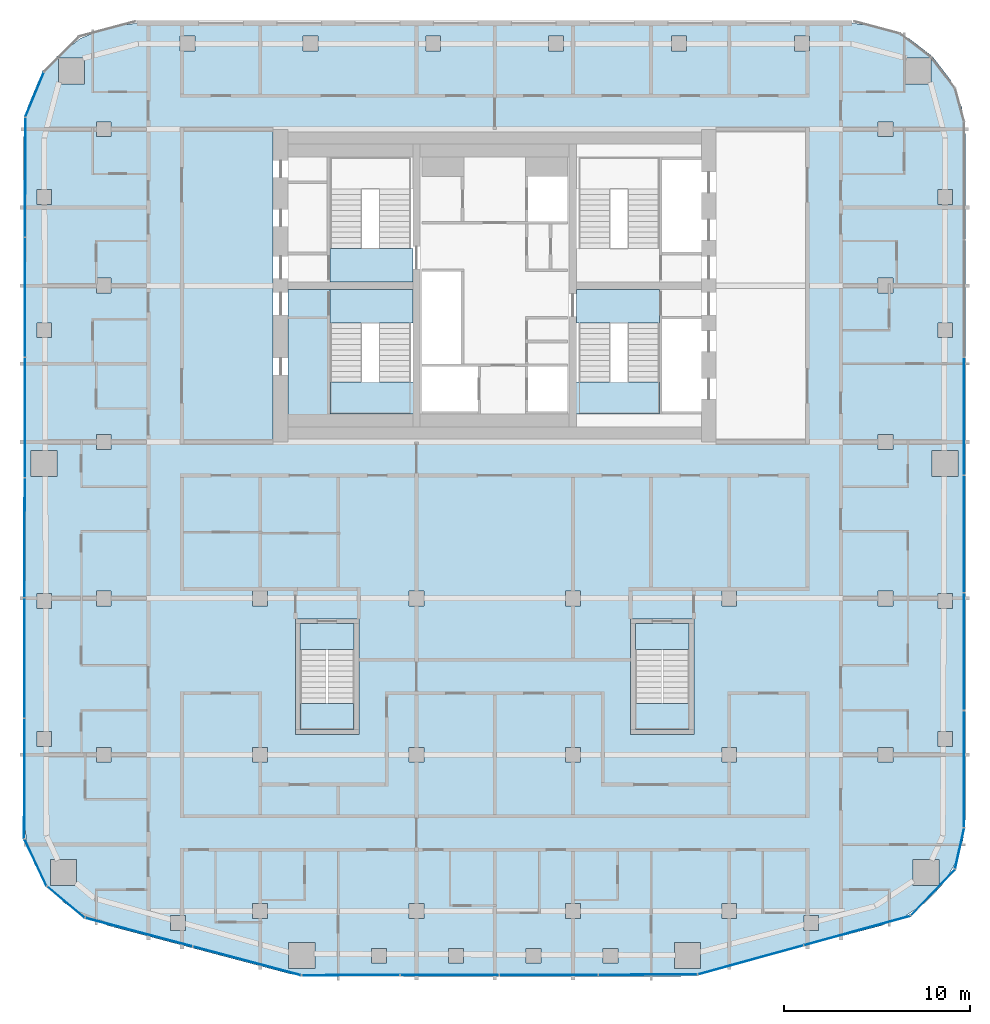
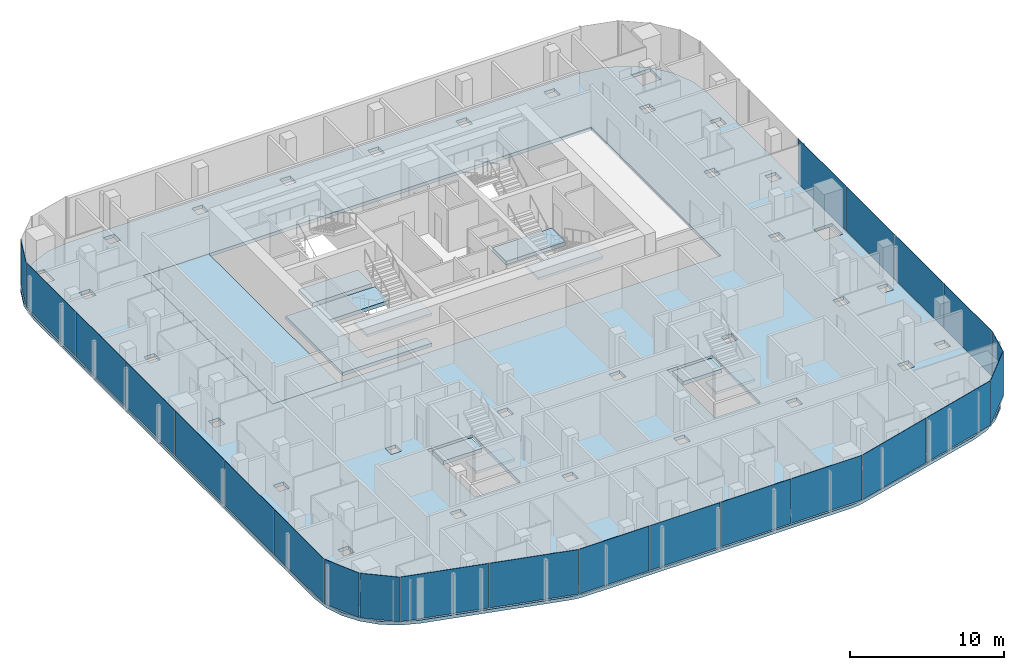
# One storey, part 12 of 22: 23 plates, 12 slabs, 14 elements without a shape of their own.
"""IFC4 building model written with IfcOpenShell, lengths in metres."""

from ifc_helpers import new_model, si_unit, direction, frame, origin, origin_2d, place, context, subcontext, project, spatial, polyline, rectangle, outline, extrude, material, layer, layer_set, type_object, element, aggregate, save


model = new_model("IFC4")

# Units and contexts
model_context = context("Model", 3, precision=1e-05, world=origin(), true_north=direction((0.0, 1.0)))
body_context = subcontext(model_context, "Body", "Model", "MODEL_VIEW")
ifc_project = project(units=[si_unit("LENGTHUNIT", "METRE"), si_unit("AREAUNIT", "SQUARE_METRE"), si_unit("VOLUMEUNIT", "CUBIC_METRE"), si_unit("PLANEANGLEUNIT", "RADIAN"), si_unit("MASSUNIT", "GRAM", prefix="KILO")], contexts=[model_context])

# Site, building, storey
site_placement = place(None, origin())
site = spatial("IfcSite", under=ifc_project, at=site_placement, CompositionType="ELEMENT")
building_placement = place(site_placement, origin())
building = spatial("IfcBuilding", under=site, at=building_placement, Name="Marenta Gate Hotel Tower", CompositionType="ELEMENT")
storey_placement = place(building_placement, frame((0.0, 0.0, 230.89990234375)))
storey = spatial("IfcBuildingStorey", under=building, at=storey_placement, Name="L54", CompositionType="ELEMENT", Elevation=230.89990234375)

# Slabs
ifc_material_1 = material(Name="Concrete C35", Category="concrete")
ifc_layer_1 = layer(ifc_material_1, 0.260009765625)
ifc_layer_set_1 = layer_set([ifc_layer_1], Name="Concrete C35")
slab_type_1 = type_object("IfcSlabType", Name="Concrete floor slab 260", PredefinedType="FLOOR", material=ifc_layer_set_1)
slab_1_placement = place(storey_placement, frame((0.0, 0.0, -0.260009765625)))
element("IfcSlab", 1, at=slab_1_placement, inside=storey, type_object=slab_type_1, Name="L54-SL-1", PredefinedType="FLOOR", context=body_context, shape_type="SweptSolid", body=[
    extrude(outline(polyline([(-23.11376953125, -24.76416015625), (-24.035400390625, -23.803955078125), (-24.72705078125, -22.6669921875), (-25.155517578125, -21.4072265625), (-25.300048828125, -20.08984375), (-25.300048828125, 16.406494140625), (-25.093017578125, 17.97900390625), (-24.483642578125, 19.450439453125), (-23.513916015625, 20.7138671875), (-22.25048828125, 21.68359375), (-20.779052734375, 22.29296875), (-19.20654296875, 22.5), (19.20654296875, 22.5), (20.779052734375, 22.29296875), (22.25048828125, 21.68359375), (23.513916015625, 20.7138671875), (24.483642578125, 19.450439453125), (25.093017578125, 17.97900390625), (25.300048828125, 16.406494140625), (25.300048828125, -20.08984375), (25.155517578125, -21.4072265625), (24.72705078125, -22.6669921875), (24.035400390625, -23.803955078125), (23.11376953125, -24.76416015625), (22.005859375, -25.501220703125), (20.76953125, -25.978759765625), (11.026611328125, -28.563720703125), (10.508544921875, -28.665771484375), (9.981689453125, -28.699951171875), (-9.981689453125, -28.699951171875), (-10.508544921875, -28.665771484375), (-11.026611328125, -28.563720703125), (-20.76953125, -25.978759765625), (-22.005859375, -25.501220703125), (-23.11376953125, -24.76416015625)]), holes=[polyline([(-16.800048828125, 0.0), (16.800048828125, 0.0), (16.800048828125, 16.800048828125), (-16.800048828125, 16.800048828125), (-16.800048828125, 0.0)]), polyline([(-16.606689453125, -25.439208984375), (-17.40673828125, -25.439208984375), (-17.40673828125, -26.239013671875), (-16.606689453125, -26.239013671875), (-16.606689453125, -25.439208984375)]), polyline([(-12.199951171875, -25.60009765625), (-12.199951171875, -24.800048828125), (-13.0, -24.800048828125), (-13.0, -25.60009765625), (-12.199951171875, -25.60009765625)]), polyline([(-22.462890625, -23.8330078125), (-22.462890625, -22.43310546875), (-23.863037109375, -22.43310546875), (-23.863037109375, -23.8330078125), (-22.462890625, -23.8330078125)]), polyline([(-12.199951171875, -16.39990234375), (-13.0, -16.39990234375), (-13.0, -17.199951171875), (-12.199951171875, -17.199951171875), (-12.199951171875, -16.39990234375)]), polyline([(-20.60009765625, -17.199951171875), (-20.60009765625, -16.39990234375), (-21.39990234375, -16.39990234375), (-21.39990234375, -17.199951171875), (-20.60009765625, -17.199951171875)]), polyline([(-23.800048828125, -16.351806640625), (-23.800048828125, -15.552001953125), (-24.60009765625, -15.552001953125), (-24.60009765625, -16.351806640625), (-23.800048828125, -16.351806640625)]), polyline([(-23.800048828125, -8.15087890625), (-24.60009765625, -8.15087890625), (-24.60009765625, -8.950927734375), (-23.800048828125, -8.950927734375), (-23.800048828125, -8.15087890625)]), polyline([(-12.199951171875, -8.800048828125), (-12.199951171875, -8.0), (-13.0, -8.0), (-13.0, -8.800048828125), (-12.199951171875, -8.800048828125)]), polyline([(-20.60009765625, -8.800048828125), (-20.60009765625, -8.0), (-21.39990234375, -8.0), (-21.39990234375, -8.800048828125), (-20.60009765625, -8.800048828125)]), polyline([(-23.5, -0.449951171875), (-24.89990234375, -0.449951171875), (-24.89990234375, -1.85009765625), (-23.5, -1.85009765625), (-23.5, -0.449951171875)]), polyline([(-20.60009765625, -0.39990234375), (-20.60009765625, 0.39990234375), (-21.39990234375, 0.39990234375), (-21.39990234375, -0.39990234375), (-20.60009765625, -0.39990234375)]), polyline([(-23.800048828125, 5.603271484375), (-23.800048828125, 6.4033203125), (-24.60009765625, 6.4033203125), (-24.60009765625, 5.603271484375), (-23.800048828125, 5.603271484375)]), polyline([(-20.60009765625, 8.800048828125), (-21.39990234375, 8.800048828125), (-21.39990234375, 8.0), (-20.60009765625, 8.0), (-20.60009765625, 8.800048828125)]), polyline([(-23.800048828125, 12.75634765625), (-23.800048828125, 13.556396484375), (-24.60009765625, 13.556396484375), (-24.60009765625, 12.75634765625), (-23.800048828125, 12.75634765625)]), polyline([(-20.60009765625, 16.39990234375), (-20.60009765625, 17.199951171875), (-21.39990234375, 17.199951171875), (-21.39990234375, 16.39990234375), (-20.60009765625, 16.39990234375)]), polyline([(-22.035400390625, 20.635498046875), (-23.435546875, 20.635498046875), (-23.435546875, 19.235595703125), (-22.035400390625, 19.235595703125), (-22.035400390625, 20.635498046875)]), polyline([(-16.10693359375, 21.0), (-16.10693359375, 21.800048828125), (-16.906982421875, 21.800048828125), (-16.906982421875, 21.0), (-16.10693359375, 21.0)]), polyline([(-5.820068359375, -28.0), (-5.820068359375, -27.199951171875), (-6.6201171875, -27.199951171875), (-6.6201171875, -28.0), (-5.820068359375, -28.0)]), polyline([(6.6201171875, -27.199951171875), (5.820068359375, -27.199951171875), (5.820068359375, -28.0), (6.6201171875, -28.0), (6.6201171875, -27.199951171875)]), polyline([(2.473388671875, -28.0), (2.473388671875, -27.199951171875), (1.67333984375, -27.199951171875), (1.67333984375, -28.0), (2.473388671875, -28.0)]), polyline([(-1.67333984375, -28.0), (-1.67333984375, -27.199951171875), (-2.473388671875, -27.199951171875), (-2.473388671875, -28.0), (-1.67333984375, -28.0)]), polyline([(-9.666259765625, -28.27490234375), (-9.666259765625, -26.874755859375), (-11.06640625, -26.874755859375), (-11.06640625, -28.27490234375), (-9.666259765625, -28.27490234375)]), polyline([(11.06640625, -28.27490234375), (11.06640625, -26.874755859375), (9.666259765625, -26.874755859375), (9.666259765625, -28.27490234375), (11.06640625, -28.27490234375)]), polyline([(13.0, -25.60009765625), (13.0, -24.800048828125), (12.199951171875, -24.800048828125), (12.199951171875, -25.60009765625), (13.0, -25.60009765625)]), polyline([(4.60009765625, -25.60009765625), (4.60009765625, -24.800048828125), (3.800048828125, -24.800048828125), (3.800048828125, -25.60009765625), (4.60009765625, -25.60009765625)]), polyline([(-3.800048828125, -24.800048828125), (-4.60009765625, -24.800048828125), (-4.60009765625, -25.60009765625), (-3.800048828125, -25.60009765625), (-3.800048828125, -24.800048828125)]), polyline([(4.60009765625, -17.199951171875), (4.60009765625, -16.39990234375), (3.800048828125, -16.39990234375), (3.800048828125, -17.199951171875), (4.60009765625, -17.199951171875)]), polyline([(-3.800048828125, -17.199951171875), (-3.800048828125, -16.39990234375), (-4.60009765625, -16.39990234375), (-4.60009765625, -17.199951171875), (-3.800048828125, -17.199951171875)]), polyline([(4.60009765625, -8.0), (3.800048828125, -8.0), (3.800048828125, -8.800048828125), (4.60009765625, -8.800048828125), (4.60009765625, -8.0)]), polyline([(-3.800048828125, -8.800048828125), (-3.800048828125, -8.0), (-4.60009765625, -8.0), (-4.60009765625, -8.800048828125), (-3.800048828125, -8.800048828125)]), polyline([(-2.9013671875, 21.0), (-2.9013671875, 21.800048828125), (-3.701416015625, 21.800048828125), (-3.701416015625, 21.0), (-2.9013671875, 21.0)]), polyline([(3.701416015625, 21.800048828125), (2.9013671875, 21.800048828125), (2.9013671875, 21.0), (3.701416015625, 21.0), (3.701416015625, 21.800048828125)]), polyline([(10.30419921875, 21.0), (10.30419921875, 21.800048828125), (9.504150390625, 21.800048828125), (9.504150390625, 21.0), (10.30419921875, 21.0)]), polyline([(-9.504150390625, 21.0), (-9.504150390625, 21.800048828125), (-10.30419921875, 21.800048828125), (-10.30419921875, 21.0), (-9.504150390625, 21.0)]), polyline([(17.40673828125, -25.439208984375), (16.606689453125, -25.439208984375), (16.606689453125, -26.239013671875), (17.40673828125, -26.239013671875), (17.40673828125, -25.439208984375)]), polyline([(23.863037109375, -23.8330078125), (23.863037109375, -22.43310546875), (22.462890625, -22.43310546875), (22.462890625, -23.8330078125), (23.863037109375, -23.8330078125)]), polyline([(13.0, -17.199951171875), (13.0, -16.39990234375), (12.199951171875, -16.39990234375), (12.199951171875, -17.199951171875), (13.0, -17.199951171875)]), polyline([(21.39990234375, -16.39990234375), (20.60009765625, -16.39990234375), (20.60009765625, -17.199951171875), (21.39990234375, -17.199951171875), (21.39990234375, -16.39990234375)]), polyline([(24.60009765625, -16.351806640625), (24.60009765625, -15.552001953125), (23.800048828125, -15.552001953125), (23.800048828125, -16.351806640625), (24.60009765625, -16.351806640625)]), polyline([(24.60009765625, -8.950927734375), (24.60009765625, -8.15087890625), (23.800048828125, -8.15087890625), (23.800048828125, -8.950927734375), (24.60009765625, -8.950927734375)]), polyline([(13.0, -8.0), (12.199951171875, -8.0), (12.199951171875, -8.800048828125), (13.0, -8.800048828125), (13.0, -8.0)]), polyline([(21.39990234375, -8.800048828125), (21.39990234375, -8.0), (20.60009765625, -8.0), (20.60009765625, -8.800048828125), (21.39990234375, -8.800048828125)]), polyline([(24.89990234375, -1.85009765625), (24.89990234375, -0.449951171875), (23.5, -0.449951171875), (23.5, -1.85009765625), (24.89990234375, -1.85009765625)]), polyline([(21.39990234375, 0.39990234375), (20.60009765625, 0.39990234375), (20.60009765625, -0.39990234375), (21.39990234375, -0.39990234375), (21.39990234375, 0.39990234375)]), polyline([(24.60009765625, 5.603271484375), (24.60009765625, 6.4033203125), (23.800048828125, 6.4033203125), (23.800048828125, 5.603271484375), (24.60009765625, 5.603271484375)]), polyline([(21.39990234375, 8.0), (21.39990234375, 8.800048828125), (20.60009765625, 8.800048828125), (20.60009765625, 8.0), (21.39990234375, 8.0)]), polyline([(24.60009765625, 12.75634765625), (24.60009765625, 13.556396484375), (23.800048828125, 13.556396484375), (23.800048828125, 12.75634765625), (24.60009765625, 12.75634765625)]), polyline([(21.39990234375, 16.39990234375), (21.39990234375, 17.199951171875), (20.60009765625, 17.199951171875), (20.60009765625, 16.39990234375), (21.39990234375, 16.39990234375)]), polyline([(23.435546875, 19.235595703125), (23.435546875, 20.635498046875), (22.035400390625, 20.635498046875), (22.035400390625, 19.235595703125), (23.435546875, 19.235595703125)]), polyline([(16.906982421875, 21.0), (16.906982421875, 21.800048828125), (16.10693359375, 21.800048828125), (16.10693359375, 21.0), (16.906982421875, 21.0)]), polyline([(-7.300048828125, -15.699951171875), (-7.300048828125, -9.5), (-10.699951171875, -9.5), (-10.699951171875, -15.699951171875), (-7.300048828125, -15.699951171875)]), polyline([(10.699951171875, -15.699951171875), (10.699951171875, -9.5), (7.300048828125, -9.5), (7.300048828125, -15.699951171875), (10.699951171875, -15.699951171875)])]), origin(), (0.0, 0.0, 1.0), 0.260009765625),
])
ifc_material_2 = material(Name="Concrete C40", Category="concrete")
ifc_layer_2 = layer(ifc_material_2, 0.260009765625)
ifc_layer_set_2 = layer_set([ifc_layer_2], Name="Concrete C40")
slab_type_2 = type_object("IfcSlabType", Name="Core floor slab 260", PredefinedType="FLOOR", material=ifc_layer_set_2)
slab_2_placement = place(storey_placement, frame((0.0, 0.0, -0.260009765625)))
element("IfcSlab", 2, at=slab_2_placement, inside=storey, type_object=slab_type_2, Name="L54-CF-5", PredefinedType="FLOOR", context=body_context, shape_type="SweptSolid", body=[
    extrude(outline(polyline([(-8.85009765625, 8.199951171875), (-8.85009765625, 8.10009765625), (-8.85009765625, 6.39990234375), (-8.85009765625, 1.5), (-4.39990234375, 1.5), (-4.39990234375, 0.800048828125), (-11.10009765625, 0.800048828125), (-11.10009765625, 8.199951171875), (-8.85009765625, 8.199951171875)])), origin(), (0.0, 0.0, 1.0), 0.260009765625),
])
slab_3_placement = place(storey_placement, frame((0.0, 0.0, -0.260009765625)))
element("IfcSlab", 3, at=slab_3_placement, inside=storey, type_object=slab_type_2, Name="L54-CF-7", PredefinedType="FLOOR", context=body_context, shape_type="SweptSolid", body=[
    extrude(outline(polyline([(-11.89990234375, 16.800048828125), (-11.89990234375, 0.0), (-16.800048828125, 0.0), (-16.800048828125, 16.800048828125), (-11.89990234375, 16.800048828125)])), origin(), (0.0, 0.0, 1.0), 0.260009765625),
])

# Stair, slab
ifc_material_3 = material(Name="Concrete C40", Category="concrete")
stair_type_1 = type_object("IfcStairType", Name="Core exit stair 1700 wide", PredefinedType="HALF_TURN_STAIR", material=ifc_material_3)
stair_1_placement = place(storey_placement, origin())
stair_1 = element("IfcStair", 4, at=stair_1_placement, inside=storey, type_object=stair_type_1, Name="Exit stair 1", PredefinedType="HALF_TURN_STAIR")
ifc_material_4 = material(Name="Concrete C40", Category="concrete")
ifc_layer_3 = layer(ifc_material_4, 0.199951171875)
ifc_layer_set_3 = layer_set([ifc_layer_3], Name="Concrete C40")
slab_type_3 = type_object("IfcSlabType", Name="Core stair landing 200", PredefinedType="LANDING", material=ifc_layer_set_3)
slab_4_placement = place(storey_placement, frame((0.0, 0.0, 1.60009765625)))
slab_4 = element("IfcSlab", 5, at=slab_4_placement, type_object=slab_type_3, Name="SL-200 ST1 landing 1", PredefinedType="LANDING", context=body_context, shape_type="SweptSolid", body=[
    extrude(outline(polyline([(-8.85009765625, 1.5), (-4.0, 1.5), (-4.0, 3.2099609375), (-8.85009765625, 3.2099609375), (-8.85009765625, 1.5)])), origin(), (0.0, 0.0, 1.0), 0.199951171875),
])
aggregate(stair_1, [slab_4])

stair_2_placement = place(storey_placement, origin())
stair_2 = element("IfcStair", 6, at=stair_2_placement, inside=storey, type_object=stair_type_1, Name="Exit stair 3", PredefinedType="HALF_TURN_STAIR")
slab_5_placement = place(storey_placement, frame((0.0, 0.0, 1.60009765625)))
slab_5 = element("IfcSlab", 7, at=slab_5_placement, type_object=slab_type_3, Name="SL-200 ST3 landing 1", PredefinedType="LANDING", context=body_context, shape_type="SweptSolid", body=[
    extrude(outline(polyline([(4.0, 1.5), (8.85009765625, 1.5), (8.85009765625, 3.2099609375), (4.0, 3.2099609375), (4.0, 1.5)])), origin(), (0.0, 0.0, 1.0), 0.199951171875),
])
aggregate(stair_2, [slab_5])

# Curtain wall, plate
ifc_material_5 = material(Name="Tinted insulated glass in bronze anodised frame", Category="glass")
ifc_layer_4 = layer(ifc_material_5, 0.1201171875)
ifc_layer_set_4 = layer_set([ifc_layer_4], Name="Tinted insulated glass in bronze anodised frame")
curtain_wall_type = type_object("IfcCurtainWallType", Name="Tower unitised curtain wall CW1", PredefinedType="NOTDEFINED", material=ifc_layer_set_4)
curtain_wall_1_placement = place(storey_placement, origin())
curtain_wall_1 = element("IfcCurtainWall", 8, at=curtain_wall_1_placement, inside=storey, type_object=curtain_wall_type, Name="CW1 run G02", PredefinedType="NOTDEFINED")
ifc_material_6 = material(Name="Tinted insulated glass", Category="glass")
ifc_layer_5 = layer(ifc_material_6, 0.028076171875)
ifc_layer_set_5 = layer_set([ifc_layer_5], Name="Tinted insulated glass")
plate_type = type_object("IfcPlateType", Name="Glass panel CW1 28 mm tinted insulated unit", PredefinedType="CURTAIN_PANEL", material=ifc_layer_set_5)
plate_1_placement = place(storey_placement, frame((-24.719482421875, 18.656005859375, 0.06005859375), z_axis=(0.0, 0.0, 1.0), x_axis=(-0.382666772044, -0.923886433266, 0.0)))
plate_1 = element("IfcPlate", 9, at=plate_1_placement, type_object=plate_type, Name="CW1 panel 1.1", PredefinedType="CURTAIN_PANEL", context=body_context, shape_type="SweptSolid", body=[
    extrude(rectangle(XDim=2.57568359375, YDim=0.028076171875, at=origin_2d()), origin(), (0.0, 0.0, 1.0), 3.5400390625),
])
aggregate(curtain_wall_1, [plate_1])

# Curtain wall, plates
curtain_wall_2_placement = place(storey_placement, origin())
curtain_wall_2 = element("IfcCurtainWall", 10, at=curtain_wall_2_placement, inside=storey, type_object=curtain_wall_type, Name="CW1 run G03", PredefinedType="NOTDEFINED")
plate_2_placement = place(storey_placement, frame((-25.21728515625, 14.22119140625, 0.06005859375), z_axis=(0.0, 0.0, 1.0), x_axis=(-0.001566045546, -0.99999877375, 0.0)))
plate_2 = element("IfcPlate", 11, at=plate_2_placement, type_object=plate_type, Name="CW1 panel 1.1", PredefinedType="CURTAIN_PANEL", context=body_context, shape_type="SweptSolid", body=[
    extrude(rectangle(XDim=6.3701171875, YDim=0.028076171875, at=origin_2d()), origin(), (0.0, 0.0, 1.0), 3.5400390625),
])
plate_3_placement = place(storey_placement, frame((-25.2275390625, 7.776123046875, 0.06005859375), z_axis=(0.0, 0.0, 1.0), x_axis=(-0.001566045546, -0.99999877375, 0.0)))
plate_3 = element("IfcPlate", 12, at=plate_3_placement, type_object=plate_type, Name="CW1 panel 2.1", PredefinedType="CURTAIN_PANEL", context=body_context, shape_type="SweptSolid", body=[
    extrude(rectangle(XDim=6.39990234375, YDim=0.028076171875, at=origin_2d()), origin(), (0.0, 0.0, 1.0), 3.5400390625),
])
plate_4_placement = place(storey_placement, frame((-25.237548828125, 1.316162109375, 0.06005859375), z_axis=(0.0, 0.0, 1.0), x_axis=(-0.001566045546, -0.99999877375, 0.0)))
plate_4 = element("IfcPlate", 13, at=plate_4_placement, type_object=plate_type, Name="CW1 panel 3.1", PredefinedType="CURTAIN_PANEL", context=body_context, shape_type="SweptSolid", body=[
    extrude(rectangle(XDim=6.39990234375, YDim=0.028076171875, at=origin_2d()), origin(), (0.0, 0.0, 1.0), 3.5400390625),
])
plate_5_placement = place(storey_placement, frame((-25.247802734375, -5.143798828125, 0.06005859375), z_axis=(0.0, 0.0, 1.0), x_axis=(-0.001566045546, -0.99999877375, 0.0)))
plate_5 = element("IfcPlate", 14, at=plate_5_placement, type_object=plate_type, Name="CW1 panel 4.1", PredefinedType="CURTAIN_PANEL", context=body_context, shape_type="SweptSolid", body=[
    extrude(rectangle(XDim=6.39990234375, YDim=0.028076171875, at=origin_2d()), origin(), (0.0, 0.0, 1.0), 3.5400390625),
])
plate_6_placement = place(storey_placement, frame((-25.2578125, -11.603759765625, 0.06005859375), z_axis=(0.0, 0.0, 1.0), x_axis=(-0.001566045546, -0.99999877375, 0.0)))
plate_6 = element("IfcPlate", 15, at=plate_6_placement, type_object=plate_type, Name="CW1 panel 5.1", PredefinedType="CURTAIN_PANEL", context=body_context, shape_type="SweptSolid", body=[
    extrude(rectangle(XDim=6.39990234375, YDim=0.028076171875, at=origin_2d()), origin(), (0.0, 0.0, 1.0), 3.5400390625),
])
plate_7_placement = place(storey_placement, frame((-25.26806640625, -18.078857421875, 0.06005859375), z_axis=(0.0, 0.0, 1.0), x_axis=(-0.001566045546, -0.99999877375, 0.0)))
plate_7 = element("IfcPlate", 16, at=plate_7_placement, type_object=plate_type, Name="CW1 panel 6.1", PredefinedType="CURTAIN_PANEL", context=body_context, shape_type="SweptSolid", body=[
    extrude(rectangle(XDim=6.429931640625, YDim=0.028076171875, at=origin_2d()), origin(), (0.0, 0.0, 1.0), 3.5400390625),
])
aggregate(curtain_wall_2, [plate_2, plate_3, plate_4, plate_5, plate_6, plate_7])

# Curtain wall, plate
curtain_wall_3_placement = place(storey_placement, origin())
curtain_wall_3 = element("IfcCurtainWall", 17, at=curtain_wall_3_placement, inside=storey, type_object=curtain_wall_type, Name="CW1 run G04", PredefinedType="NOTDEFINED")
plate_8_placement = place(storey_placement, frame((-24.665283203125, -22.594482421875, 0.06005859375), z_axis=(0.0, 0.0, 1.0), x_axis=(0.42333719762, -0.905972194447, 0.0)))
plate_8 = element("IfcPlate", 18, at=plate_8_placement, type_object=plate_type, Name="CW1 panel 1.1", PredefinedType="CURTAIN_PANEL", context=body_context, shape_type="SweptSolid", body=[
    extrude(rectangle(XDim=2.751220703125, YDim=0.028076171875, at=origin_2d()), origin(), (0.0, 0.0, 1.0), 3.5400390625),
])
aggregate(curtain_wall_3, [plate_8])

curtain_wall_4_placement = place(storey_placement, origin())
curtain_wall_4 = element("IfcCurtainWall", 19, at=curtain_wall_4_placement, inside=storey, type_object=curtain_wall_type, Name="CW1 run G05", PredefinedType="NOTDEFINED")
plate_9_placement = place(storey_placement, frame((-23.0361328125, -24.716064453125, 0.06005859375), z_axis=(0.0, 0.0, 1.0), x_axis=(0.767102345594, -0.641524739495, 0.0)))
plate_9 = element("IfcPlate", 20, at=plate_9_placement, type_object=plate_type, Name="CW1 panel 1.1", PredefinedType="CURTAIN_PANEL", context=body_context, shape_type="SweptSolid", body=[
    extrude(rectangle(XDim=2.609375, YDim=0.028076171875, at=origin_2d()), origin(), (0.0, 0.0, 1.0), 3.5400390625),
])
aggregate(curtain_wall_4, [plate_9])

# Curtain wall, plates
curtain_wall_5_placement = place(storey_placement, origin())
curtain_wall_5 = element("IfcCurtainWall", 21, at=curtain_wall_5_placement, inside=storey, type_object=curtain_wall_type, Name="CW1 run G06", PredefinedType="NOTDEFINED")
plate_10_placement = place(storey_placement, frame((-19.113525390625, -26.33056640625, 0.06005859375), z_axis=(0.0, 0.0, 1.0), x_axis=(0.966374375295, -0.257139197271, 0.0)))
plate_10 = element("IfcPlate", 22, at=plate_10_placement, type_object=plate_type, Name="CW1 panel 1.1", PredefinedType="CURTAIN_PANEL", context=body_context, shape_type="SweptSolid", body=[
    extrude(rectangle(XDim=5.927001953125, YDim=0.028076171875, at=origin_2d()), origin(), (0.0, 0.0, 1.0), 3.5400390625),
])
plate_11_placement = place(storey_placement, frame((-13.298828125, -27.877685546875, 0.06005859375), z_axis=(0.0, 0.0, 1.0), x_axis=(0.966374375295, -0.257139197271, 0.0)))
plate_11 = element("IfcPlate", 23, at=plate_11_placement, type_object=plate_type, Name="CW1 panel 2.1", PredefinedType="CURTAIN_PANEL", context=body_context, shape_type="SweptSolid", body=[
    extrude(rectangle(XDim=5.987060546875, YDim=0.028076171875, at=origin_2d()), origin(), (0.0, 0.0, 1.0), 3.5400390625),
])
aggregate(curtain_wall_5, [plate_10, plate_11])

curtain_wall_6_placement = place(storey_placement, origin())
curtain_wall_6 = element("IfcCurtainWall", 24, at=curtain_wall_6_placement, inside=storey, type_object=curtain_wall_type, Name="CW1 run G07", PredefinedType="NOTDEFINED")
plate_12_placement = place(storey_placement, frame((-7.73095703125, -28.64306640625, 0.06005859375), z_axis=(0.0, 0.0, 1.0), x_axis=(0.999998647385, 0.001644757804, 0.0)))
plate_12 = element("IfcPlate", 25, at=plate_12_placement, type_object=plate_type, Name="CW1 panel 1.1", PredefinedType="CURTAIN_PANEL", context=body_context, shape_type="SweptSolid", body=[
    extrude(rectangle(XDim=5.22998046875, YDim=0.028076171875, at=origin_2d()), origin(), (0.0, 0.0, 1.0), 3.5400390625),
])
plate_13_placement = place(storey_placement, frame((-2.426025390625, -28.63427734375, 0.06005859375), z_axis=(0.0, 0.0, 1.0), x_axis=(0.999998647385, 0.001644757804, 0.0)))
plate_13 = element("IfcPlate", 26, at=plate_13_placement, type_object=plate_type, Name="CW1 panel 2.1", PredefinedType="CURTAIN_PANEL", context=body_context, shape_type="SweptSolid", body=[
    extrude(rectangle(XDim=5.260009765625, YDim=0.028076171875, at=origin_2d()), origin(), (0.0, 0.0, 1.0), 3.5400390625),
])
plate_14_placement = place(storey_placement, frame((2.893798828125, -28.625732421875, 0.06005859375), z_axis=(0.0, 0.0, 1.0), x_axis=(0.999998647385, 0.001644757804, 0.0)))
plate_14 = element("IfcPlate", 27, at=plate_14_placement, type_object=plate_type, Name="CW1 panel 3.1", PredefinedType="CURTAIN_PANEL", context=body_context, shape_type="SweptSolid", body=[
    extrude(rectangle(XDim=5.260009765625, YDim=0.028076171875, at=origin_2d()), origin(), (0.0, 0.0, 1.0), 3.5400390625),
])
plate_15_placement = place(storey_placement, frame((8.228759765625, -28.616943359375, 0.06005859375), z_axis=(0.0, 0.0, 1.0), x_axis=(0.999998647385, 0.001644757804, 0.0)))
plate_15 = element("IfcPlate", 28, at=plate_15_placement, type_object=plate_type, Name="CW1 panel 4.1", PredefinedType="CURTAIN_PANEL", context=body_context, shape_type="SweptSolid", body=[
    extrude(rectangle(XDim=5.289794921875, YDim=0.028076171875, at=origin_2d()), origin(), (0.0, 0.0, 1.0), 3.5400390625),
])
aggregate(curtain_wall_6, [plate_12, plate_13, plate_14, plate_15])

curtain_wall_7_placement = place(storey_placement, origin())
curtain_wall_7 = element("IfcCurtainWall", 29, at=curtain_wall_7_placement, inside=storey, type_object=curtain_wall_type, Name="CW1 run G08", PredefinedType="NOTDEFINED")
plate_16_placement = place(storey_placement, frame((13.7509765625, -27.82080078125, 0.06005859375), z_axis=(0.0, 0.0, 1.0), x_axis=(0.964167765212, 0.265293272675, 0.0)))
plate_16 = element("IfcPlate", 30, at=plate_16_placement, type_object=plate_type, Name="CW1 panel 1.1", PredefinedType="CURTAIN_PANEL", context=body_context, shape_type="SweptSolid", body=[
    extrude(rectangle(XDim=5.848388671875, YDim=0.028076171875, at=origin_2d()), origin(), (0.0, 0.0, 1.0), 3.5400390625),
])
plate_17_placement = place(storey_placement, frame((19.4765625, -26.245361328125, 0.06005859375), z_axis=(0.0, 0.0, 1.0), x_axis=(0.964167765212, 0.265293272675, 0.0)))
plate_17 = element("IfcPlate", 31, at=plate_17_placement, type_object=plate_type, Name="CW1 panel 2.1", PredefinedType="CURTAIN_PANEL", context=body_context, shape_type="SweptSolid", body=[
    extrude(rectangle(XDim=5.908203125, YDim=0.028076171875, at=origin_2d()), origin(), (0.0, 0.0, 1.0), 3.5400390625),
])
aggregate(curtain_wall_7, [plate_16, plate_17])

# Curtain wall, plate
curtain_wall_8_placement = place(storey_placement, origin())
curtain_wall_8 = element("IfcCurtainWall", 32, at=curtain_wall_8_placement, inside=storey, type_object=curtain_wall_type, Name="CW1 run G09", PredefinedType="NOTDEFINED")
plate_18_placement = place(storey_placement, frame((23.543212890625, -24.1923828125, 0.06005859375), z_axis=(0.0, 0.0, 1.0), x_axis=(0.692548076564, 0.72137172224, 0.0)))
plate_18 = element("IfcPlate", 33, at=plate_18_placement, type_object=plate_type, Name="CW1 panel 1.1", PredefinedType="CURTAIN_PANEL", context=body_context, shape_type="SweptSolid", body=[
    extrude(rectangle(XDim=3.39892578125, YDim=0.028076171875, at=origin_2d()), origin(), (0.0, 0.0, 1.0), 3.5400390625),
])
aggregate(curtain_wall_8, [plate_18])

curtain_wall_9_placement = place(storey_placement, origin())
curtain_wall_9 = element("IfcCurtainWall", 34, at=curtain_wall_9_placement, inside=storey, type_object=curtain_wall_type, Name="CW1 run G10", PredefinedType="NOTDEFINED")
plate_19_placement = place(storey_placement, frame((24.9736328125, -21.825927734375, 0.06005859375), z_axis=(0.0, 0.0, 1.0), x_axis=(0.216842096529, 0.97620669183, 0.0)))
plate_19 = element("IfcPlate", 35, at=plate_19_placement, type_object=plate_type, Name="CW1 panel 1.1", PredefinedType="CURTAIN_PANEL", context=body_context, shape_type="SweptSolid", body=[
    extrude(rectangle(XDim=2.216796875, YDim=0.028076171875, at=origin_2d()), origin(), (0.0, 0.0, 1.0), 3.5400390625),
])
aggregate(curtain_wall_9, [plate_19])

# Curtain wall, plates
curtain_wall_10_placement = place(storey_placement, origin())
curtain_wall_10 = element("IfcCurtainWall", 36, at=curtain_wall_10_placement, inside=storey, type_object=curtain_wall_type, Name="CW1 run G11", PredefinedType="NOTDEFINED")
plate_20_placement = place(storey_placement, frame((25.214111328125, -17.567626953125, 0.06005859375), z_axis=(0.0, 0.0, 1.0), x_axis=(0.0, 1.0, 0.0)))
plate_20 = element("IfcPlate", 37, at=plate_20_placement, type_object=plate_type, Name="CW1 panel 1.1", PredefinedType="CURTAIN_PANEL", context=body_context, shape_type="SweptSolid", body=[
    extrude(rectangle(XDim=6.232666015625, YDim=0.028076171875, at=origin_2d()), origin(), (0.0, 0.0, 1.0), 3.5400390625),
])
plate_21_placement = place(storey_placement, frame((25.214111328125, -11.260009765625, 0.06005859375), z_axis=(0.0, 0.0, 1.0), x_axis=(0.0, 1.0, 0.0)))
plate_21 = element("IfcPlate", 38, at=plate_21_placement, type_object=plate_type, Name="CW1 panel 2.1", PredefinedType="CURTAIN_PANEL", context=body_context, shape_type="SweptSolid", body=[
    extrude(rectangle(XDim=6.2626953125, YDim=0.028076171875, at=origin_2d()), origin(), (0.0, 0.0, 1.0), 3.5400390625),
])
plate_22_placement = place(storey_placement, frame((25.214111328125, -4.937255859375, 0.06005859375), z_axis=(0.0, 0.0, 1.0), x_axis=(0.0, 1.0, 0.0)))
plate_22 = element("IfcPlate", 39, at=plate_22_placement, type_object=plate_type, Name="CW1 panel 3.1", PredefinedType="CURTAIN_PANEL", context=body_context, shape_type="SweptSolid", body=[
    extrude(rectangle(XDim=6.2626953125, YDim=0.028076171875, at=origin_2d()), origin(), (0.0, 0.0, 1.0), 3.5400390625),
])
plate_23_placement = place(storey_placement, frame((25.214111328125, 1.38525390625, 0.06005859375), z_axis=(0.0, 0.0, 1.0), x_axis=(0.0, 1.0, 0.0)))
plate_23 = element("IfcPlate", 40, at=plate_23_placement, type_object=plate_type, Name="CW1 panel 4.1", PredefinedType="CURTAIN_PANEL", context=body_context, shape_type="SweptSolid", body=[
    extrude(rectangle(XDim=6.2626953125, YDim=0.028076171875, at=origin_2d()), origin(), (0.0, 0.0, 1.0), 3.5400390625),
])
aggregate(curtain_wall_10, [plate_20, plate_21, plate_22, plate_23])

# Stair, slab
ifc_material_7 = material(Name="Concrete C40", Category="concrete")
stair_type_2 = type_object("IfcStairType", Name="Remote exit stair 1400 wide", PredefinedType="HALF_TURN_STAIR", material=ifc_material_7)
stair_3_placement = place(storey_placement, origin())
stair_3 = element("IfcStair", 41, at=stair_3_placement, inside=storey, type_object=stair_type_2, Name="Exit stair RS-Z3-1", PredefinedType="HALF_TURN_STAIR")
ifc_material_8 = material(Name="Concrete C40", Category="concrete")
ifc_layer_6 = layer(ifc_material_8, 0.199951171875)
ifc_layer_set_6 = layer_set([ifc_layer_6], Name="Concrete C40")
slab_type_4 = type_object("IfcSlabType", Name="Remote stair landing 200", PredefinedType="LANDING", material=ifc_layer_set_6)
slab_6_placement = place(storey_placement, frame((0.0, 0.0, 1.60009765625)))
slab_6 = element("IfcSlab", 42, at=slab_6_placement, type_object=slab_type_4, Name="RL-200 RS-Z3-1 landing 1", PredefinedType="LANDING", context=body_context, shape_type="SweptSolid", body=[
    extrude(outline(polyline([(-10.449951171875, -15.449951171875), (-7.550048828125, -15.449951171875), (-7.550048828125, -14.050048828125), (-10.449951171875, -14.050048828125), (-10.449951171875, -15.449951171875)])), origin(), (0.0, 0.0, 1.0), 0.199951171875),
])
aggregate(stair_3, [slab_6])

stair_4_placement = place(storey_placement, origin())
stair_4 = element("IfcStair", 43, at=stair_4_placement, inside=storey, type_object=stair_type_2, Name="Exit stair RS-Z3-2", PredefinedType="HALF_TURN_STAIR")
slab_7_placement = place(storey_placement, frame((0.0, 0.0, 1.60009765625)))
slab_7 = element("IfcSlab", 44, at=slab_7_placement, type_object=slab_type_4, Name="RL-200 RS-Z3-2 landing 1", PredefinedType="LANDING", context=body_context, shape_type="SweptSolid", body=[
    extrude(outline(polyline([(7.550048828125, -15.449951171875), (10.449951171875, -15.449951171875), (10.449951171875, -14.050048828125), (7.550048828125, -14.050048828125), (7.550048828125, -15.449951171875)])), origin(), (0.0, 0.0, 1.0), 0.199951171875),
])
aggregate(stair_4, [slab_7])

# Slabs
ifc_material_9 = material(Name="Concrete C40", Category="concrete")
ifc_layer_7 = layer(ifc_material_9, 0.300048828125)
ifc_layer_set_7 = layer_set([ifc_layer_7], Name="Concrete C40")
slab_type_5 = type_object("IfcSlabType", Name="Stair floor landing slab 300", PredefinedType="FLOOR", material=ifc_layer_set_7)
slab_8_placement = place(storey_placement, frame((0.0, 0.0, -0.2998046875)))
element("IfcSlab", 45, at=slab_8_placement, inside=storey, type_object=slab_type_5, Name="L54-CL-ST1-1", PredefinedType="FLOOR", context=body_context, shape_type="SweptSolid", body=[
    extrude(outline(polyline([(-4.39990234375, 6.39990234375), (-8.85009765625, 6.39990234375), (-8.85009765625, 8.10009765625), (-8.85009765625, 8.199951171875), (-4.39990234375, 8.199951171875), (-4.39990234375, 6.39990234375)])), origin(), (0.0, 0.0, 1.0), 0.2998046875),
])
slab_9_placement = place(storey_placement, frame((0.0, 0.0, -0.2998046875)))
element("IfcSlab", 46, at=slab_9_placement, inside=storey, type_object=slab_type_5, Name="L54-CL-ST2-1", PredefinedType="FLOOR", context=body_context, shape_type="SweptSolid", body=[
    extrude(outline(polyline([(-4.39990234375, 8.60009765625), (-8.85009765625, 8.60009765625), (-8.85009765625, 8.699951171875), (-8.85009765625, 10.39990234375), (-4.39990234375, 10.39990234375), (-4.39990234375, 8.60009765625)])), origin(), (0.0, 0.0, 1.0), 0.2998046875),
])
slab_10_placement = place(storey_placement, frame((0.0, 0.0, -0.2998046875)))
element("IfcSlab", 47, at=slab_10_placement, inside=storey, type_object=slab_type_5, Name="L54-CL-ST3-1", PredefinedType="FLOOR", context=body_context, shape_type="SweptSolid", body=[
    extrude(outline(polyline([(4.39990234375, 6.39990234375), (4.39990234375, 8.199951171875), (8.85009765625, 8.199951171875), (8.85009765625, 8.10009765625), (8.85009765625, 6.39990234375), (4.39990234375, 6.39990234375)])), origin(), (0.0, 0.0, 1.0), 0.2998046875),
])
slab_11_placement = place(storey_placement, frame((0.0, 0.0, -0.2998046875)))
element("IfcSlab", 48, at=slab_11_placement, inside=storey, type_object=slab_type_5, Name="L54-RS-Z3-1-CL", PredefinedType="FLOOR", context=body_context, shape_type="SweptSolid", body=[
    extrude(outline(polyline([(-7.550048828125, -11.14990234375), (-7.550048828125, -9.75), (-10.449951171875, -9.75), (-10.449951171875, -11.14990234375), (-7.550048828125, -11.14990234375)])), origin(), (0.0, 0.0, 1.0), 0.2998046875),
])
slab_12_placement = place(storey_placement, frame((0.0, 0.0, -0.2998046875)))
element("IfcSlab", 49, at=slab_12_placement, inside=storey, type_object=slab_type_5, Name="L54-RS-Z3-2-CL", PredefinedType="FLOOR", context=body_context, shape_type="SweptSolid", body=[
    extrude(outline(polyline([(10.449951171875, -11.14990234375), (10.449951171875, -9.75), (7.550048828125, -9.75), (7.550048828125, -11.14990234375), (10.449951171875, -11.14990234375)])), origin(), (0.0, 0.0, 1.0), 0.2998046875),
])

save(model, "model.ifc")
